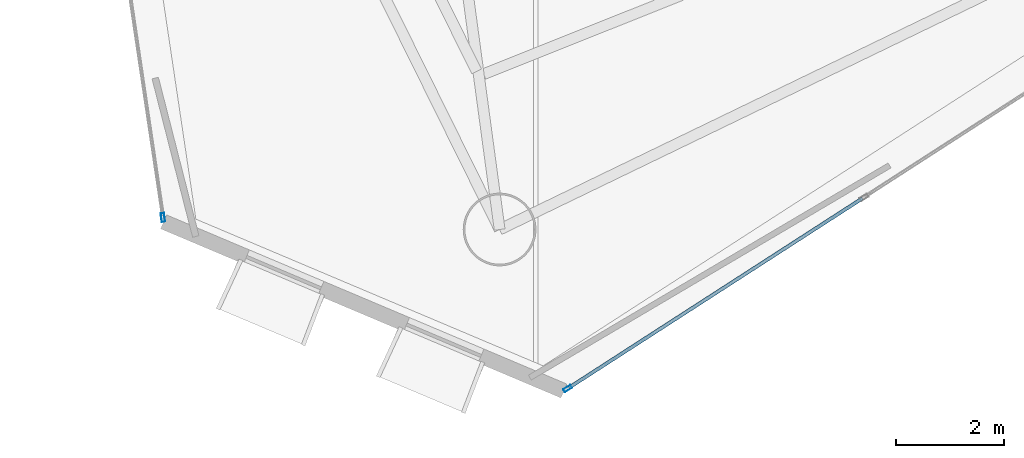
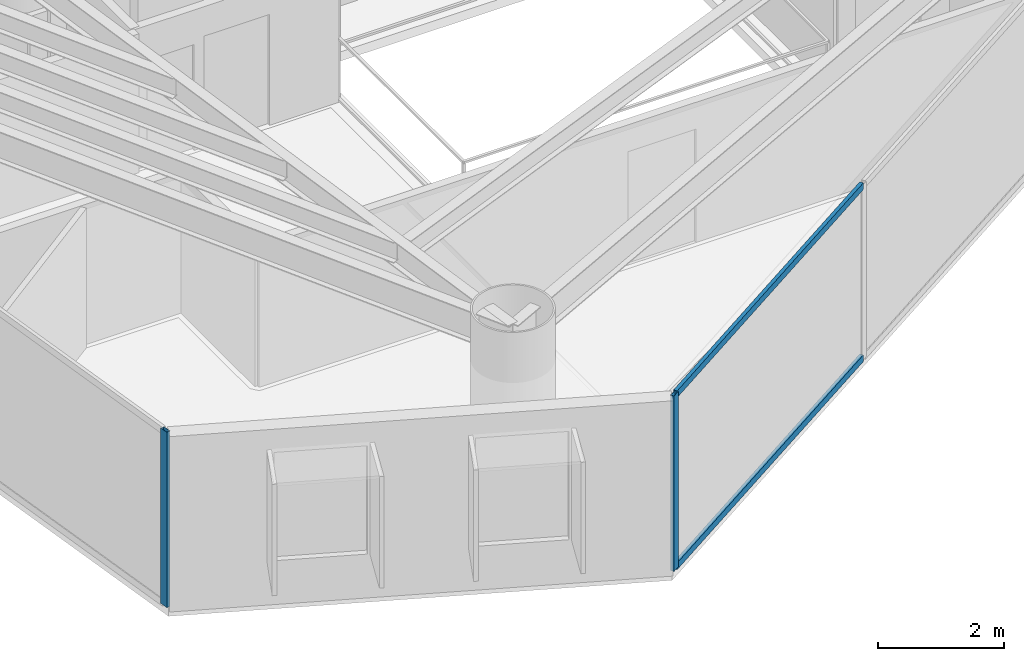
# One storey, part 2 of 22: 4 members, 2 elements without a shape of their own.
"""IFC4 building model written with IfcOpenShell, lengths in metres."""

from ifc_helpers import new_model, si_unit, direction, frame, origin, origin_2d, place, context, subcontext, project, spatial, hollow_rectangle, extrude, material, layer, layer_set, material_profile, profile_set, type_object, element, aggregate, save


model = new_model("IFC4")

# Units and contexts
model_context = context("Model", 3, precision=1e-05, world=origin(), true_north=direction((0.0, 1.0)))
body_context = subcontext(model_context, "Body", "Model", "MODEL_VIEW")
ifc_project = project(units=[si_unit("LENGTHUNIT", "METRE"), si_unit("AREAUNIT", "SQUARE_METRE"), si_unit("VOLUMEUNIT", "CUBIC_METRE"), si_unit("PLANEANGLEUNIT", "RADIAN"), si_unit("MASSUNIT", "GRAM", prefix="KILO")], contexts=[model_context])

# Site, building, storey
site_placement = place(None, origin())
site = spatial("IfcSite", under=ifc_project, at=site_placement, CompositionType="ELEMENT")
building_placement = place(site_placement, origin())
building = spatial("IfcBuilding", under=site, at=building_placement, Name="Qianvela Tower", CompositionType="ELEMENT")
storey_placement = place(building_placement, frame((0.0, 0.0, 180.89990234375)))
storey = spatial("IfcBuildingStorey", under=building, at=storey_placement, Name="L46", CompositionType="ELEMENT", Elevation=180.89990234375)

# Curtain wall, member
ifc_material_1 = material(Name="Anodised Architectural Aluminium and Low-E Glass", Category="aluminium")
ifc_layer = layer(ifc_material_1, 0.169921875)
ifc_layer_set = layer_set([ifc_layer], Name="Anodised Architectural Aluminium and Low-E Glass")
curtain_wall_type = type_object("IfcCurtainWallType", Name="CW-COLIV-Z34", PredefinedType="USERDEFINED", material=ifc_layer_set)
curtain_wall_1_placement = place(storey_placement, origin())
curtain_wall_1 = element("IfcCurtainWall", 1, at=curtain_wall_1_placement, inside=storey, type_object=curtain_wall_type, Name="L46 CW-COLIV-Z34 Curtain Wall 04C", ObjectType="CURTAIN_WALL_SYSTEM", PredefinedType="USERDEFINED")
ifc_material_2 = material(Name="Anodised Architectural Aluminium 6063-T6", Category="aluminium")
ifc_material_profile_1 = material_profile(ifc_material_2, hollow_rectangle(XDim=0.06494140625, YDim=0.159912109375, WallThickness=0.0048828125, at=origin_2d()), Name="ALU-MULL-65x160")
ifc_profile_set_1 = profile_set([ifc_material_profile_1], Name="Anodised Architectural Aluminium 6063-T6")
member_type_1 = type_object("IfcMemberType", Name="CW-COLIV-Z34-MULL", PredefinedType="MULLION", material=ifc_profile_set_1)
member_1_placement = place(storey_placement, frame((24.101318359375, 11.1318359375, 0.0), z_axis=(0.0, 0.0, 1.0), x_axis=(0.989067093574, 0.147466214467, 0.0)))
member_1 = element("IfcMember", 2, at=member_1_placement, type_object=member_type_1, Name="CW-4 mullion 2", PredefinedType="MULLION", context=body_context, shape_type="SweptSolid", body=[
    extrude(hollow_rectangle(XDim=0.06494140625, YDim=0.159912109375, WallThickness=0.0048828125, at=origin_2d()), origin(), (0.0, 0.0, 1.0), 3.400146484375),
])
aggregate(curtain_wall_1, [member_1])

# Curtain wall, members
curtain_wall_2_placement = place(storey_placement, origin())
curtain_wall_2 = element("IfcCurtainWall", 3, at=curtain_wall_2_placement, inside=storey, type_object=curtain_wall_type, Name="L46 CW-COLIV-Z34 Curtain Wall 06A", ObjectType="CURTAIN_WALL_SYSTEM", PredefinedType="USERDEFINED")
member_2_placement = place(storey_placement, frame((31.60791015625, 7.95751953125, 0.0), z_axis=(0.0, 0.0, 1.0), x_axis=(-0.542188878074, 0.84025663966, 0.0)))
member_2 = element("IfcMember", 4, at=member_2_placement, type_object=member_type_1, Name="CW-4 mullion 1", PredefinedType="MULLION", context=body_context, shape_type="SweptSolid", body=[
    extrude(hollow_rectangle(XDim=0.06494140625, YDim=0.159912109375, WallThickness=0.0048828125, at=origin_2d()), origin(), (0.0, 0.0, 1.0), 3.400146484375),
])
ifc_material_3 = material(Name="Anodised Architectural Aluminium 6063-T6", Category="aluminium")
ifc_material_profile_2 = material_profile(ifc_material_3, hollow_rectangle(XDim=0.06494140625, YDim=0.1298828125, WallThickness=0.00439453125, at=origin_2d()), Name="ALU-TRAN-65x130")
ifc_profile_set_2 = profile_set([ifc_material_profile_2], Name="Anodised Architectural Aluminium 6063-T6")
member_type_2 = type_object("IfcMemberType", Name="CW-COLIV-Z34-TRAN", PredefinedType="USERDEFINED", material=ifc_profile_set_2)
member_3_placement = place(storey_placement, frame((31.63525390625, 7.97509765625, 0.03271484375), z_axis=(0.840255104869, 0.542191256607, 0.0), x_axis=(-0.542191256607, 0.840255104869, 0.0)))
member_3 = element("IfcMember", 5, at=member_3_placement, type_object=member_type_2, Name="CW-4 transom 1.1", ObjectType="TRANSOM", PredefinedType="USERDEFINED", context=body_context, shape_type="SweptSolid", body=[
    extrude(hollow_rectangle(XDim=0.06494140625, YDim=0.1298828125, WallThickness=0.00439453125, at=origin_2d()), origin(), (0.0, 0.0, 1.0), 6.477294921875),
])
member_4_placement = place(storey_placement, frame((31.63525390625, 7.97509765625, 3.36767578125), z_axis=(0.840255104869, 0.542191256607, 0.0), x_axis=(-0.542191256607, 0.840255104869, 0.0)))
member_4 = element("IfcMember", 6, at=member_4_placement, type_object=member_type_2, Name="CW-4 transom 1.2", ObjectType="TRANSOM", PredefinedType="USERDEFINED", context=body_context, shape_type="SweptSolid", body=[
    extrude(hollow_rectangle(XDim=0.06494140625, YDim=0.1298828125, WallThickness=0.00439453125, at=origin_2d()), origin(), (0.0, 0.0, 1.0), 6.477294921875),
])
aggregate(curtain_wall_2, [member_2, member_3, member_4])

save(model, "model.ifc")
